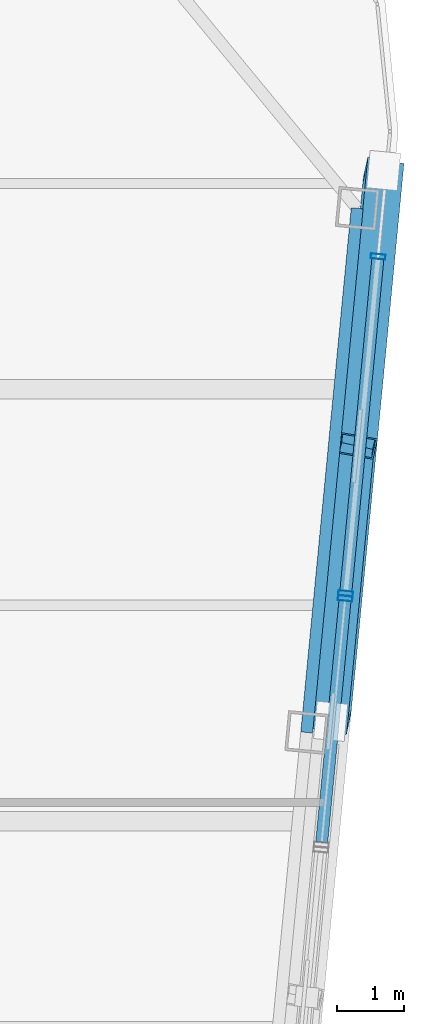
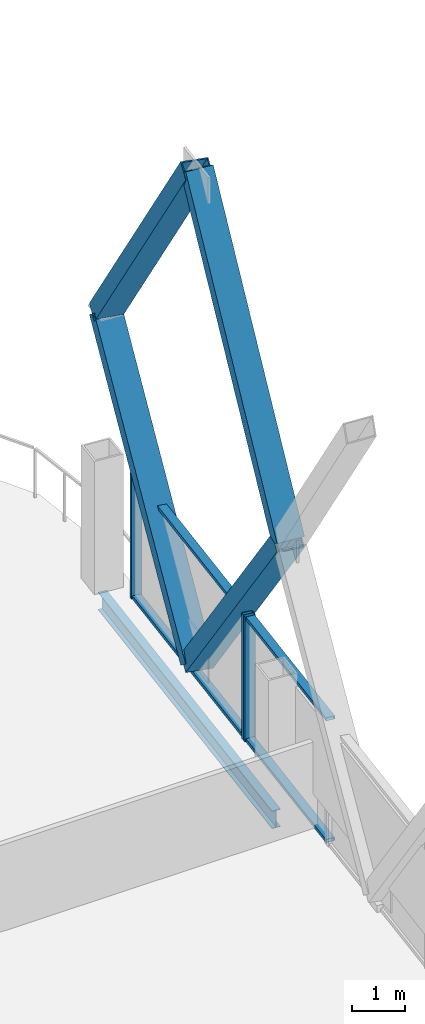
# One storey, part 14 of 25: 11 members, 1 beam, 2 elements without a shape of their own.
"""IFC4 building model written with IfcOpenShell, lengths in metres."""

from ifc_helpers import new_model, si_unit, direction, frame, origin, origin_2d, place, context, subcontext, project, spatial, hollow_rectangle, i_section, extrude, material, layer, layer_set, material_profile, profile_set, type_object, element, aggregate, save


model = new_model("IFC4")

# Units and contexts
model_context = context("Model", 3, precision=1e-05, world=origin(), true_north=direction((0.0, 1.0)))
body_context = subcontext(model_context, "Body", "Model", "MODEL_VIEW")
ifc_project = project(units=[si_unit("LENGTHUNIT", "METRE"), si_unit("AREAUNIT", "SQUARE_METRE"), si_unit("VOLUMEUNIT", "CUBIC_METRE"), si_unit("PLANEANGLEUNIT", "RADIAN"), si_unit("MASSUNIT", "GRAM", prefix="KILO")], contexts=[model_context])

# Site, building, storey
site_placement = place(None, origin())
site = spatial("IfcSite", under=ifc_project, at=site_placement, CompositionType="ELEMENT")
building_placement = place(site_placement, origin())
building = spatial("IfcBuilding", under=site, at=building_placement, Name="Qhalaya Broadcast Tower", CompositionType="ELEMENT")
storey_placement = place(building_placement, frame((0.0, 0.0, 255.050048828125)))
storey = spatial("IfcBuildingStorey", under=building, at=storey_placement, Name="L75", CompositionType="ELEMENT", Elevation=255.050048828125)

# Members
ifc_material_1 = material(Name="Structural Steel ASTM A572 Grade 50", Category="steel")
ifc_material_profile_1 = material_profile(ifc_material_1, hollow_rectangle(XDim=0.3798828125, YDim=0.550048828125, WallThickness=0.02490234375, at=origin_2d()), Name="BOX 380x550x25")
ifc_profile_set_1 = profile_set([ifc_material_profile_1], Name="Structural Steel ASTM A572 Grade 50")
member_type_1 = type_object("IfcMemberType", Name="Exoskeleton Diamond Diagonal Upper EX4", PredefinedType="BRACE", material=ifc_profile_set_1)
for number, where, z_axis, x_axis, name in (
    (1, (22.090087890625, 2.978759765625, 0.35986328125), (-0.058266125563, -0.605364209609, 0.793813096602), (0.171107534, 0.777341068105, 0.605361937725), "B6 Exoskeleton Diamond Brace E3-D1"),
    (2, (22.090087890625, 2.978759765625, 0.35986328125), (0.058301925892, 0.605362942159, 0.793811434597), (-0.171153078973, -0.777329359739, 0.60536409709), "B6 Exoskeleton Diamond Brace E3-D2"),
):
    element("IfcMember", number, at=place(storey_placement, frame(where, z_axis=z_axis, x_axis=x_axis)), inside=storey, type_object=member_type_1, Name=name, PredefinedType="BRACE", context=body_context, shape_type="SweptSolid", body=[
        extrude(hollow_rectangle(XDim=0.3798828125, YDim=0.550048828125, WallThickness=0.02490234375, at=origin_2d()), origin(), (0.0, 0.0, 1.0), 6.79638671875),
    ])
for number, where, z_axis, x_axis, name in (
    (3, (21.694091796875, -1.135498046875, 5.7548828125), (0.055127452373, 0.572754517502, 0.817871155303), (-0.17340185175, -0.801178209115, 0.572752368), "B6 Exoskeleton Diamond Brace E3-D3"),
    (4, (22.486328125, 7.093017578125, 5.7548828125), (-0.055161336321, -0.572753444041, 0.817869622443), (0.17344881055, 0.801166493771, 0.572754536758), "B6 Exoskeleton Diamond Brace E3-D4"),
):
    element("IfcMember", number, at=place(storey_placement, frame(where, z_axis=z_axis, x_axis=x_axis)), inside=storey, type_object=member_type_1, Name=name, PredefinedType="BRACE", context=body_context, shape_type="SweptSolid", body=[
        extrude(hollow_rectangle(XDim=0.3798828125, YDim=0.550048828125, WallThickness=0.02490234375, at=origin_2d()), origin(), (0.0, 0.0, 1.0), 7.183349609375),
    ])

# Curtain wall, member
ifc_material_2 = material(Name="Solar-Control Low-E Triple Glazing", Category="glass")
ifc_layer_1 = layer(ifc_material_2, 0.219970703125, Name="Solar-Control Low-E Triple Glazing")
ifc_layer_set_1 = layer_set([ifc_layer_1], Name="Solar-Control Low-E Triple Glazing")
curtain_wall_type_1 = type_object("IfcCurtainWallType", Name="High-Altitude Upper-Shaft Triple Low-E Curtain Wall CW-04", PredefinedType="NOTDEFINED", material=ifc_layer_set_1)
curtain_wall_1_placement = place(storey_placement, origin())
curtain_wall_1 = element("IfcCurtainWall", 5, at=curtain_wall_1_placement, inside=storey, type_object=curtain_wall_type_1, Name="L75 Unitised Curtain Wall L75-CW-E4", PredefinedType="NOTDEFINED")
ifc_material_3 = material(Name="Anodised Aluminium 6063-T6", Category="aluminium")
ifc_material_profile_2 = material_profile(ifc_material_3, hollow_rectangle(XDim=0.074951171875, YDim=0.219970703125, WallThickness=0.00390625, at=origin_2d()), Name="ALU-MUL 75x220x4")
ifc_profile_set_2 = profile_set([ifc_material_profile_2], Name="Anodised Aluminium 6063-T6")
member_type_2 = type_object("IfcMemberType", Name="Unitised Curtain-Wall Mullion M01", PredefinedType="MULLION", material=ifc_profile_set_2)
member_1_placement = place(storey_placement, frame((21.9111328125, 0.701171875, 0.0), z_axis=(0.0, 0.0, 1.0), x_axis=(0.095839673292, 0.995396783712, 0.0)))
member_1 = element("IfcMember", 6, at=member_1_placement, type_object=member_type_2, Name="CW-04 mullion 2", PredefinedType="MULLION", context=body_context, shape_type="SweptSolid", body=[
    extrude(hollow_rectangle(XDim=0.074951171875, YDim=0.219970703125, WallThickness=0.00390625, at=origin_2d()), origin(), (0.0, 0.0, 1.0), 2.85986328125),
])

# Curtain wall, members
ifc_material_4 = material(Name="Fired Architectural Terracotta", Category="masonry")
ifc_layer_2 = layer(ifc_material_4, 0.219970703125, Name="Fired Architectural Terracotta")
ifc_layer_set_2 = layer_set([ifc_layer_2], Name="Fired Architectural Terracotta")
curtain_wall_type_2 = type_object("IfcCurtainWallType", Name="Block-Cap Unitised Terracotta Spandrel Wall CW-07", PredefinedType="NOTDEFINED", material=ifc_layer_set_2)
curtain_wall_2_placement = place(storey_placement, origin())
curtain_wall_2 = element("IfcCurtainWall", 7, at=curtain_wall_2_placement, inside=storey, type_object=curtain_wall_type_2, Name="L75 Unitised Curtain Wall L75-CW-E5", PredefinedType="NOTDEFINED")
member_2_placement = place(storey_placement, frame((21.918212890625, 0.77587890625, 0.0), z_axis=(0.0, 0.0, 1.0), x_axis=(0.095847607498, 0.995396019751, 0.0)))
member_2 = element("IfcMember", 8, at=member_2_placement, type_object=member_type_2, Name="CW-07 mullion 1", PredefinedType="MULLION", context=body_context, shape_type="SweptSolid", body=[
    extrude(hollow_rectangle(XDim=0.074951171875, YDim=0.219970703125, WallThickness=0.00390625, at=origin_2d()), origin(), (0.0, 0.0, 1.0), 2.85986328125),
])
member_3_placement = place(storey_placement, frame((22.40283203125, 5.8076171875, 0.0), z_axis=(0.0, 0.0, 1.0), x_axis=(0.095847607498, 0.995396019751, 0.0)))
member_3 = element("IfcMember", 9, at=member_3_placement, type_object=member_type_2, Name="CW-07 mullion 2", PredefinedType="MULLION", context=body_context, shape_type="SweptSolid", body=[
    extrude(hollow_rectangle(XDim=0.074951171875, YDim=0.219970703125, WallThickness=0.00390625, at=origin_2d()), origin(), (0.0, 0.0, 1.0), 2.85986328125),
])

# Member
ifc_material_profile_3 = material_profile(ifc_material_3, hollow_rectangle(XDim=0.074951171875, YDim=0.179931640625, WallThickness=0.00390625, at=origin_2d()), Name="ALU-TRN 75x180x4")
ifc_profile_set_3 = profile_set([ifc_material_profile_3], Name="Anodised Aluminium 6063-T6")
member_type_3 = type_object("IfcMemberType", Name="Unitised Curtain-Wall Transom T01", PredefinedType="USERDEFINED", material=ifc_profile_set_3)
member_4_placement = place(storey_placement, frame((21.560302734375, -2.9423828125, 0.037353515625), z_axis=(0.095826687714, 0.995398033915, 0.0), x_axis=(0.0, 0.0, 1.0)))
member_4 = element("IfcMember", 10, at=member_4_placement, type_object=member_type_3, Name="CW-04 transom 1.1", ObjectType="TRANSOM", PredefinedType="USERDEFINED", context=body_context, shape_type="SweptSolid", body=[
    extrude(hollow_rectangle(XDim=0.074951171875, YDim=0.179931640625, WallThickness=0.00390625, at=origin_2d()), origin(), (0.0, 0.0, 1.0), 3.622802734375),
])

member_5_placement = place(storey_placement, frame((21.560302734375, -2.9423828125, 2.822509765625), z_axis=(0.095826687714, 0.995398033915, 0.0), x_axis=(0.0, 0.0, 1.0)))
member_5 = element("IfcMember", 11, at=member_5_placement, type_object=member_type_3, Name="CW-04 transom 1.2", ObjectType="TRANSOM", PredefinedType="USERDEFINED", context=body_context, shape_type="SweptSolid", body=[
    extrude(hollow_rectangle(XDim=0.074951171875, YDim=0.179931640625, WallThickness=0.00390625, at=origin_2d()), origin(), (0.0, 0.0, 1.0), 3.622802734375),
])

aggregate(curtain_wall_1, [member_1, member_4, member_5])

member_6_placement = place(storey_placement, frame((21.921875, 0.813232421875, 0.037353515625), z_axis=(0.095843186117, 0.99539644548, 0.0), x_axis=(0.0, 0.0, 1.0)))
member_6 = element("IfcMember", 12, at=member_6_placement, type_object=member_type_3, Name="CW-07 transom 1.1", ObjectType="TRANSOM", PredefinedType="USERDEFINED", context=body_context, shape_type="SweptSolid", body=[
    extrude(hollow_rectangle(XDim=0.074951171875, YDim=0.179931640625, WallThickness=0.00390625, at=origin_2d()), origin(), (0.0, 0.0, 1.0), 4.97998046875),
])

member_7_placement = place(storey_placement, frame((21.921875, 0.813232421875, 2.822509765625), z_axis=(0.095843186117, 0.99539644548, 0.0), x_axis=(0.0, 0.0, 1.0)))
member_7 = element("IfcMember", 13, at=member_7_placement, type_object=member_type_3, Name="CW-07 transom 1.2", ObjectType="TRANSOM", PredefinedType="USERDEFINED", context=body_context, shape_type="SweptSolid", body=[
    extrude(hollow_rectangle(XDim=0.074951171875, YDim=0.179931640625, WallThickness=0.00390625, at=origin_2d()), origin(), (0.0, 0.0, 1.0), 4.97998046875),
])

aggregate(curtain_wall_2, [member_2, member_3, member_6, member_7])

# Beam
ifc_material_5 = material(Name="Structural Steel ASTM A992 Grade 50", Category="steel")
ifc_material_profile_4 = material_profile(ifc_material_5, i_section(OverallWidth=0.177978515625, OverallDepth=0.406005859375, WebThickness=0.0078125, FlangeThickness=0.0126953125, at=origin_2d()), Name="W16X40")
ifc_profile_set_4 = profile_set([ifc_material_profile_4], Name="Structural Steel ASTM A992 Grade 50")
beam_type = type_object("IfcBeamType", Name="Upper Perimeter Spandrel Beam SP2", PredefinedType="SPANDREL", material=ifc_profile_set_4)
beam_placement = place(storey_placement, frame((21.33642578125, -1.302001953125, -0.39306640625), z_axis=(0.095837184179, 0.995397023367, 0.0), x_axis=(-0.995397023367, 0.095837184179, 0.0)))
element("IfcBeam", 14, at=beam_placement, inside=storey, type_object=beam_type, Name="L75 SP2 L75-SPR-07", PredefinedType="SPANDREL", context=body_context, shape_type="SweptSolid", body=[
    extrude(i_section(OverallWidth=0.177978515625, OverallDepth=0.406005859375, WebThickness=0.0078125, FlangeThickness=0.0126953125, at=origin_2d()), origin(), (0.0, 0.0, 1.0), 7.866455078125),
])

save(model, "model.ifc")
